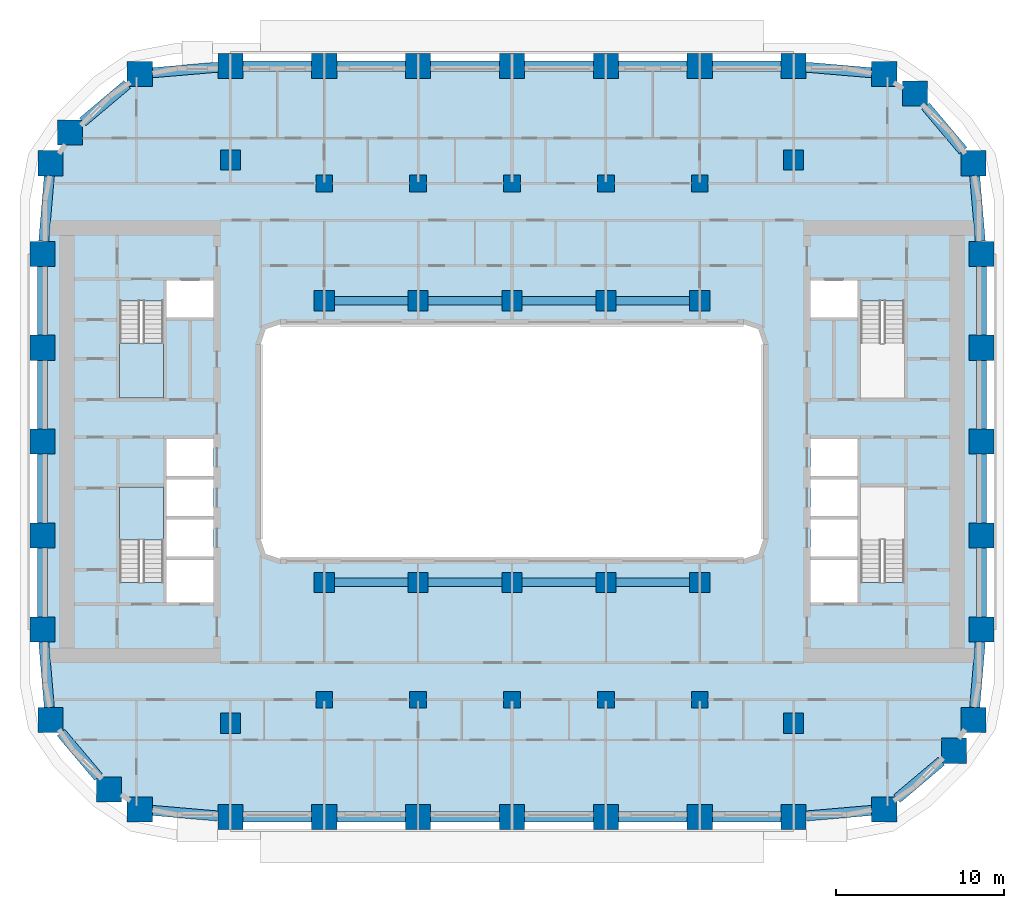
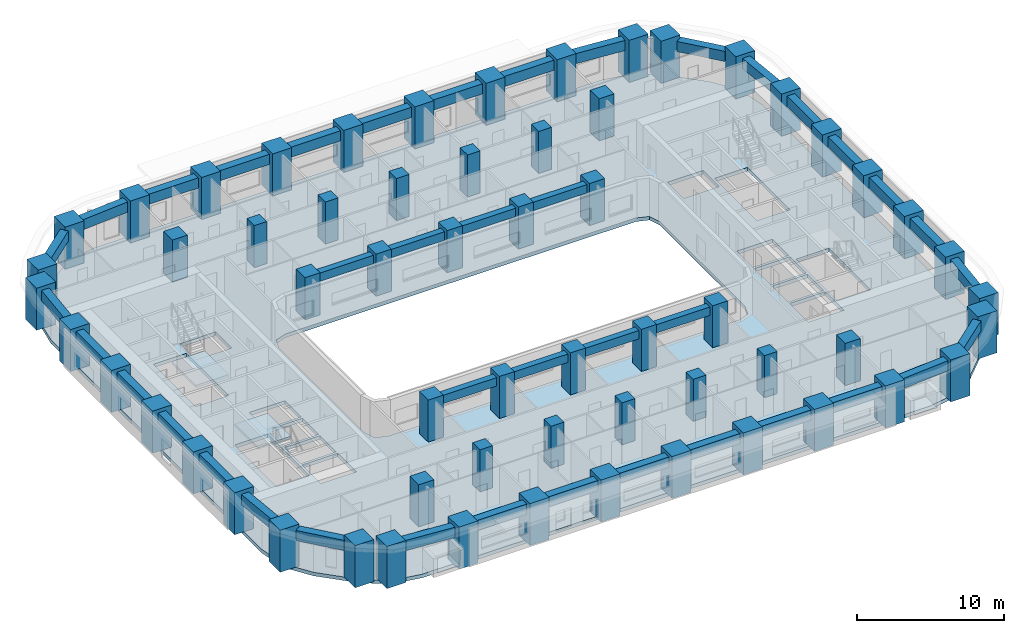
# One storey, part 1 of 22: 60 columns, 40 beams, 3 slabs, 2 elements without a shape of their own.
"""IFC4 building model written with IfcOpenShell, lengths in metres."""

from ifc_helpers import new_model, si_unit, direction, frame, origin, origin_2d, place, context, subcontext, project, spatial, polyline, rectangle, outline, extrude, material, layer, layer_set, material_profile, profile_set, type_object, element, aggregate, save


model = new_model("IFC4")

# Units and contexts
model_context = context("Model", 3, precision=1e-05, world=origin(), true_north=direction((0.0, 1.0)))
body_context = subcontext(model_context, "Body", "Model", "MODEL_VIEW")
ifc_project = project(units=[si_unit("LENGTHUNIT", "METRE"), si_unit("AREAUNIT", "SQUARE_METRE"), si_unit("VOLUMEUNIT", "CUBIC_METRE"), si_unit("PLANEANGLEUNIT", "RADIAN"), si_unit("MASSUNIT", "GRAM", prefix="KILO")], contexts=[model_context])

# Site, building, storey
site_placement = place(None, origin())
site = spatial("IfcSite", under=ifc_project, at=site_placement, CompositionType="ELEMENT")
building_placement = place(site_placement, origin())
building = spatial("IfcBuilding", under=site, at=building_placement, Name="Kiln Ring Residences", CompositionType="ELEMENT")
storey_placement = place(building_placement, frame((0.0, 0.0, 44.5)))
storey = spatial("IfcBuildingStorey", under=building, at=storey_placement, Name="L10", CompositionType="ELEMENT", Elevation=44.5)

# Columns
ifc_material_1 = material(Name="Concrete C80/95", Category="concrete")
ifc_material_profile_1 = material_profile(ifc_material_1, rectangle(XDim=1.0, YDim=1.0, at=origin_2d()), Name="RC1000x1000")
ifc_profile_set_1 = profile_set([ifc_material_profile_1], Name="Concrete C80/95")
column_type_1 = type_object("IfcColumnType", Name="Corridor column RC1000x1000 C80/95", PredefinedType="COLUMN", material=ifc_profile_set_1)
for number, where, z_axis, x_axis, name in (
    (1, (-11.199951171875, 15.39990234375, 0.0), (0.0, 0.0, 1.0), (1.0, 0.0, 0.0), "Corridor column L10 1"),
    (2, (-5.60009765625, 15.39990234375, 0.0), (0.0, 0.0, 1.0), (1.0, 0.0, 0.0), "Corridor column L10 2"),
    (3, (0.0, 15.39990234375, 0.0), (0.0, 0.0, 1.0), (1.0, 0.0, 0.0), "Corridor column L10 3"),
    (4, (5.60009765625, 15.39990234375, 0.0), (0.0, 0.0, 1.0), (1.0, 0.0, 0.0), "Corridor column L10 4"),
    (5, (11.199951171875, 15.39990234375, 0.0), (0.0, 0.0, 1.0), (1.0, 0.0, 0.0), "Corridor column L10 5"),
    (6, (-11.199951171875, -15.39990234375, 0.0), (0.0, 0.0, 1.0), (1.0, 0.0, 0.0), "Corridor column L10 6"),
    (7, (-5.60009765625, -15.39990234375, 0.0), (0.0, 0.0, 1.0), (1.0, 0.0, 0.0), "Corridor column L10 7"),
    (8, (0.0, -15.39990234375, 0.0), (0.0, 0.0, 1.0), (1.0, 0.0, 0.0), "Corridor column L10 8"),
    (9, (5.60009765625, -15.39990234375, 0.0), (0.0, 0.0, 1.0), (1.0, 0.0, 0.0), "Corridor column L10 9"),
    (10, (11.199951171875, -15.39990234375, 0.0), (0.0, 0.0, 1.0), (1.0, 0.0, 0.0), "Corridor column L10 10"),
):
    element("IfcColumn", number, at=place(storey_placement, frame(where, z_axis=z_axis, x_axis=x_axis)), inside=storey, type_object=column_type_1, Name=name, PredefinedType="COLUMN", context=body_context, shape_type="SweptSolid", body=[
        extrude(rectangle(XDim=1.0, YDim=1.0, at=origin_2d()), origin(), (0.0, 0.0, 1.0), 3.5),
    ])
ifc_material_2 = material(Name="Concrete C80/95", Category="concrete")
ifc_material_profile_2 = material_profile(ifc_material_2, rectangle(XDim=1.5, YDim=1.5, at=origin_2d()), Name="RC1500x1500")
ifc_profile_set_2 = profile_set([ifc_material_profile_2], Name="Concrete C80/95")
column_type_2 = type_object("IfcColumnType", Name="Perimeter column RC1500x1500 C80/95", PredefinedType="COLUMN", material=ifc_profile_set_2)
for number, where, z_axis, x_axis, name in (
    (11, (-22.208740234375, -21.93798828125, 0.0), (0.0, 0.0, 1.0), (1.0, 0.0, 0.0), "Perimeter column L10 1"),
    (12, (-16.800048828125, -22.39990234375, 0.0), (0.0, 0.0, 1.0), (1.0, 0.0, 0.0), "Perimeter column L10 2"),
    (13, (-11.199951171875, -22.39990234375, 0.0), (0.0, 0.0, 1.0), (1.0, 0.0, 0.0), "Perimeter column L10 3"),
    (14, (-5.60009765625, -22.39990234375, 0.0), (0.0, 0.0, 1.0), (1.0, 0.0, 0.0), "Perimeter column L10 4"),
    (15, (0.0, -22.39990234375, 0.0), (0.0, 0.0, 1.0), (1.0, 0.0, 0.0), "Perimeter column L10 5"),
    (16, (5.60009765625, -22.39990234375, 0.0), (0.0, 0.0, 1.0), (1.0, 0.0, 0.0), "Perimeter column L10 6"),
    (17, (11.199951171875, -22.39990234375, 0.0), (0.0, 0.0, 1.0), (1.0, 0.0, 0.0), "Perimeter column L10 7"),
    (18, (16.800048828125, -22.39990234375, 0.0), (0.0, 0.0, 1.0), (1.0, 0.0, 0.0), "Perimeter column L10 8"),
    (19, (22.208740234375, -21.93798828125, 0.0), (0.0, 0.0, 1.0), (1.0, 0.0, 0.0), "Perimeter column L10 9"),
    (20, (26.35986328125, -18.440185546875, 0.0), (0.0, 0.0, 1.0), (1.0, 0.0, 0.0), "Perimeter column L10 10"),
    (21, (27.5380859375, -16.608642578125, 0.0), (0.0, 0.0, 1.0), (1.0, 0.0, 0.0), "Perimeter column L10 11"),
    (22, (28.0, -11.199951171875, 0.0), (0.0, 0.0, 1.0), (1.0, 0.0, 0.0), "Perimeter column L10 12"),
    (23, (28.0, -5.60009765625, 0.0), (0.0, 0.0, 1.0), (1.0, 0.0, 0.0), "Perimeter column L10 13"),
    (24, (28.0, 0.0, 0.0), (0.0, 0.0, 1.0), (1.0, 0.0, 0.0), "Perimeter column L10 14"),
    (25, (28.0, 5.60009765625, 0.0), (0.0, 0.0, 1.0), (1.0, 0.0, 0.0), "Perimeter column L10 15"),
    (26, (28.0, 11.199951171875, 0.0), (0.0, 0.0, 1.0), (1.0, 0.0, 0.0), "Perimeter column L10 16"),
    (27, (27.5380859375, 16.608642578125, 0.0), (0.0, 0.0, 1.0), (1.0, 0.0, 0.0), "Perimeter column L10 17"),
    (28, (24.040283203125, 20.759765625, 0.0), (0.0, 0.0, 1.0), (1.0, 0.0, 0.0), "Perimeter column L10 18"),
    (29, (22.208740234375, 21.93798828125, 0.0), (0.0, 0.0, 1.0), (1.0, 0.0, 0.0), "Perimeter column L10 19"),
    (30, (16.800048828125, 22.39990234375, 0.0), (0.0, 0.0, 1.0), (1.0, 0.0, 0.0), "Perimeter column L10 20"),
    (31, (11.199951171875, 22.39990234375, 0.0), (0.0, 0.0, 1.0), (1.0, 0.0, 0.0), "Perimeter column L10 21"),
    (32, (5.60009765625, 22.39990234375, 0.0), (0.0, 0.0, 1.0), (1.0, 0.0, 0.0), "Perimeter column L10 22"),
    (33, (0.0, 22.39990234375, 0.0), (0.0, 0.0, 1.0), (1.0, 0.0, 0.0), "Perimeter column L10 23"),
    (34, (-5.60009765625, 22.39990234375, 0.0), (0.0, 0.0, 1.0), (1.0, 0.0, 0.0), "Perimeter column L10 24"),
    (35, (-11.199951171875, 22.39990234375, 0.0), (0.0, 0.0, 1.0), (1.0, 0.0, 0.0), "Perimeter column L10 25"),
    (36, (-16.800048828125, 22.39990234375, 0.0), (0.0, 0.0, 1.0), (1.0, 0.0, 0.0), "Perimeter column L10 26"),
    (37, (-22.208740234375, 21.93798828125, 0.0), (0.0, 0.0, 1.0), (1.0, 0.0, 0.0), "Perimeter column L10 27"),
    (38, (-26.35986328125, 18.440185546875, 0.0), (0.0, 0.0, 1.0), (1.0, 0.0, 0.0), "Perimeter column L10 28"),
    (39, (-27.5380859375, 16.608642578125, 0.0), (0.0, 0.0, 1.0), (1.0, 0.0, 0.0), "Perimeter column L10 29"),
    (40, (-28.0, 11.199951171875, 0.0), (0.0, 0.0, 1.0), (1.0, 0.0, 0.0), "Perimeter column L10 30"),
    (41, (-28.0, 5.60009765625, 0.0), (0.0, 0.0, 1.0), (1.0, 0.0, 0.0), "Perimeter column L10 31"),
    (42, (-28.0, 0.0, 0.0), (0.0, 0.0, 1.0), (1.0, 0.0, 0.0), "Perimeter column L10 32"),
    (43, (-28.0, -5.60009765625, 0.0), (0.0, 0.0, 1.0), (1.0, 0.0, 0.0), "Perimeter column L10 33"),
    (44, (-28.0, -11.199951171875, 0.0), (0.0, 0.0, 1.0), (1.0, 0.0, 0.0), "Perimeter column L10 34"),
    (45, (-27.5380859375, -16.608642578125, 0.0), (0.0, 0.0, 1.0), (1.0, 0.0, 0.0), "Perimeter column L10 35"),
    (46, (-24.040283203125, -20.759765625, 0.0), (0.0, 0.0, 1.0), (1.0, 0.0, 0.0), "Perimeter column L10 36"),
):
    element("IfcColumn", number, at=place(storey_placement, frame(where, z_axis=z_axis, x_axis=x_axis)), inside=storey, type_object=column_type_2, Name=name, PredefinedType="COLUMN", context=body_context, shape_type="SweptSolid", body=[
        extrude(rectangle(XDim=1.5, YDim=1.5, at=origin_2d()), origin(), (0.0, 0.0, 1.0), 3.5),
    ])
ifc_material_3 = material(Name="Concrete C80/95", Category="concrete")
ifc_material_profile_3 = material_profile(ifc_material_3, rectangle(XDim=1.199951171875, YDim=1.199951171875, at=origin_2d()), Name="RC1200x1200")
ifc_profile_set_3 = profile_set([ifc_material_profile_3], Name="Concrete C80/95")
column_type_3 = type_object("IfcColumnType", Name="Ring column RC1200x1200 C80/95", PredefinedType="COLUMN", material=ifc_profile_set_3)
for number, where, z_axis, x_axis, name in (
    (47, (-16.800048828125, -16.800048828125, 0.0), (0.0, 0.0, 1.0), (1.0, 0.0, 0.0), "Ring column L10 1"),
    (48, (-16.800048828125, 16.800048828125, 0.0), (0.0, 0.0, 1.0), (1.0, 0.0, 0.0), "Ring column L10 2"),
    (49, (-11.199951171875, -8.39990234375, 0.0), (0.0, 0.0, 1.0), (1.0, 0.0, 0.0), "Ring column L10 3"),
    (50, (-11.199951171875, 8.39990234375, 0.0), (0.0, 0.0, 1.0), (1.0, 0.0, 0.0), "Ring column L10 4"),
    (51, (-5.60009765625, -8.39990234375, 0.0), (0.0, 0.0, 1.0), (1.0, 0.0, 0.0), "Ring column L10 5"),
    (52, (-5.60009765625, 8.39990234375, 0.0), (0.0, 0.0, 1.0), (1.0, 0.0, 0.0), "Ring column L10 6"),
    (53, (0.0, -8.39990234375, 0.0), (0.0, 0.0, 1.0), (1.0, 0.0, 0.0), "Ring column L10 7"),
    (54, (0.0, 8.39990234375, 0.0), (0.0, 0.0, 1.0), (1.0, 0.0, 0.0), "Ring column L10 8"),
    (55, (5.60009765625, -8.39990234375, 0.0), (0.0, 0.0, 1.0), (1.0, 0.0, 0.0), "Ring column L10 9"),
    (56, (5.60009765625, 8.39990234375, 0.0), (0.0, 0.0, 1.0), (1.0, 0.0, 0.0), "Ring column L10 10"),
    (57, (11.199951171875, -8.39990234375, 0.0), (0.0, 0.0, 1.0), (1.0, 0.0, 0.0), "Ring column L10 11"),
    (58, (11.199951171875, 8.39990234375, 0.0), (0.0, 0.0, 1.0), (1.0, 0.0, 0.0), "Ring column L10 12"),
    (59, (16.800048828125, -16.800048828125, 0.0), (0.0, 0.0, 1.0), (1.0, 0.0, 0.0), "Ring column L10 13"),
    (60, (16.800048828125, 16.800048828125, 0.0), (0.0, 0.0, 1.0), (1.0, 0.0, 0.0), "Ring column L10 14"),
):
    element("IfcColumn", number, at=place(storey_placement, frame(where, z_axis=z_axis, x_axis=x_axis)), inside=storey, type_object=column_type_3, Name=name, PredefinedType="COLUMN", context=body_context, shape_type="SweptSolid", body=[
        extrude(rectangle(XDim=1.199951171875, YDim=1.199951171875, at=origin_2d()), origin(), (0.0, 0.0, 1.0), 3.5),
    ])

# Beams
ifc_material_4 = material(Name="Concrete C50/60", Category="concrete")
ifc_material_profile_4 = material_profile(ifc_material_4, rectangle(XDim=0.5, YDim=0.699951171875, at=origin_2d()), Name="RC500x700")
ifc_profile_set_4 = profile_set([ifc_material_profile_4], Name="Concrete C50/60")
beam_type_1 = type_object("IfcBeamType", Name="Ring beam RC500x700 C50/60", PredefinedType="BEAM", material=ifc_profile_set_4)
beam_1_placement = place(storey_placement, frame((-10.60009765625, -8.39990234375, 2.85009765625), z_axis=(1.0, 0.0, 0.0), x_axis=(0.0, 1.0, 0.0)))
element("IfcBeam", 61, at=beam_1_placement, inside=storey, type_object=beam_type_1, Name="Ring beam L10 1", PredefinedType="BEAM", context=body_context, shape_type="SweptSolid", body=[
    extrude(rectangle(XDim=0.5, YDim=0.699951171875, at=origin_2d()), origin(), (0.0, 0.0, 1.0), 4.400146484375),
])
for number, where, z_axis, x_axis, name in (
    (62, (-5.0, -8.39990234375, 2.85009765625), (1.0, 0.0, 0.0), (0.0, 1.0, 0.0), "Ring beam L10 2"),
    (63, (0.60009765625, -8.39990234375, 2.85009765625), (1.0, 0.0, 0.0), (0.0, 1.0, 0.0), "Ring beam L10 3"),
):
    element("IfcBeam", number, at=place(storey_placement, frame(where, z_axis=z_axis, x_axis=x_axis)), inside=storey, type_object=beam_type_1, Name=name, PredefinedType="BEAM", context=body_context, shape_type="SweptSolid", body=[
        extrude(rectangle(XDim=0.5, YDim=0.699951171875, at=origin_2d()), origin(), (0.0, 0.0, 1.0), 4.39990234375),
    ])
for number, where, z_axis, x_axis, name in (
    (64, (6.199951171875, -8.39990234375, 2.85009765625), (1.0, 0.0, 0.0), (0.0, 1.0, 0.0), "Ring beam L10 4"),
    (65, (-10.60009765625, 8.39990234375, 2.85009765625), (1.0, 0.0, 0.0), (0.0, 1.0, 0.0), "Ring beam L10 5"),
):
    element("IfcBeam", number, at=place(storey_placement, frame(where, z_axis=z_axis, x_axis=x_axis)), inside=storey, type_object=beam_type_1, Name=name, PredefinedType="BEAM", context=body_context, shape_type="SweptSolid", body=[
        extrude(rectangle(XDim=0.5, YDim=0.699951171875, at=origin_2d()), origin(), (0.0, 0.0, 1.0), 4.400146484375),
    ])
for number, where, z_axis, x_axis, name in (
    (66, (-5.0, 8.39990234375, 2.85009765625), (1.0, 0.0, 0.0), (0.0, 1.0, 0.0), "Ring beam L10 6"),
    (67, (0.60009765625, 8.39990234375, 2.85009765625), (1.0, 0.0, 0.0), (0.0, 1.0, 0.0), "Ring beam L10 7"),
):
    element("IfcBeam", number, at=place(storey_placement, frame(where, z_axis=z_axis, x_axis=x_axis)), inside=storey, type_object=beam_type_1, Name=name, PredefinedType="BEAM", context=body_context, shape_type="SweptSolid", body=[
        extrude(rectangle(XDim=0.5, YDim=0.699951171875, at=origin_2d()), origin(), (0.0, 0.0, 1.0), 4.39990234375),
    ])
beam_2_placement = place(storey_placement, frame((6.199951171875, 8.39990234375, 2.85009765625), z_axis=(1.0, 0.0, 0.0), x_axis=(0.0, 1.0, 0.0)))
element("IfcBeam", 68, at=beam_2_placement, inside=storey, type_object=beam_type_1, Name="Ring beam L10 8", PredefinedType="BEAM", context=body_context, shape_type="SweptSolid", body=[
    extrude(rectangle(XDim=0.5, YDim=0.699951171875, at=origin_2d()), origin(), (0.0, 0.0, 1.0), 4.400146484375),
])
ifc_material_5 = material(Name="Concrete C50/60", Category="concrete")
ifc_material_profile_5 = material_profile(ifc_material_5, rectangle(XDim=0.60009765625, YDim=0.85009765625, at=origin_2d()), Name="RC600x850")
ifc_profile_set_5 = profile_set([ifc_material_profile_5], Name="Concrete C50/60")
beam_type_2 = type_object("IfcBeamType", Name="Spandrel beam RC600x850 C50/60", PredefinedType="SPANDREL", material=ifc_profile_set_5)
beam_3_placement = place(storey_placement, frame((-21.458740234375, -22.002197265625, 2.77490234375), z_axis=(0.996374585929, -0.085074582072, 0.0), x_axis=(0.085074582072, 0.996374585929, 0.0)))
element("IfcBeam", 69, at=beam_3_placement, inside=storey, type_object=beam_type_2, Name="Spandrel beam L10 1", PredefinedType="SPANDREL", context=body_context, shape_type="SweptSolid", body=[
    extrude(rectangle(XDim=0.60009765625, YDim=0.85009765625, at=origin_2d()), origin(), (0.0, 0.0, 1.0), 3.9228515625),
])
beam_4_placement = place(storey_placement, frame((-16.050048828125, -22.39990234375, 2.77490234375), z_axis=(1.0, 0.0, 0.0), x_axis=(0.0, 1.0, 0.0)))
element("IfcBeam", 70, at=beam_4_placement, inside=storey, type_object=beam_type_2, Name="Spandrel beam L10 2", PredefinedType="SPANDREL", context=body_context, shape_type="SweptSolid", body=[
    extrude(rectangle(XDim=0.60009765625, YDim=0.85009765625, at=origin_2d()), origin(), (0.0, 0.0, 1.0), 4.10009765625),
])
beam_5_placement = place(storey_placement, frame((-10.449951171875, -22.39990234375, 2.77490234375), z_axis=(1.0, 0.0, 0.0), x_axis=(0.0, 1.0, 0.0)))
element("IfcBeam", 71, at=beam_5_placement, inside=storey, type_object=beam_type_2, Name="Spandrel beam L10 3", PredefinedType="SPANDREL", context=body_context, shape_type="SweptSolid", body=[
    extrude(rectangle(XDim=0.60009765625, YDim=0.85009765625, at=origin_2d()), origin(), (0.0, 0.0, 1.0), 4.099853515625),
])
for number, where, z_axis, x_axis, name in (
    (72, (-4.85009765625, -22.39990234375, 2.77490234375), (1.0, 0.0, 0.0), (0.0, 1.0, 0.0), "Spandrel beam L10 4"),
    (73, (0.75, -22.39990234375, 2.77490234375), (1.0, 0.0, 0.0), (0.0, 1.0, 0.0), "Spandrel beam L10 5"),
):
    element("IfcBeam", number, at=place(storey_placement, frame(where, z_axis=z_axis, x_axis=x_axis)), inside=storey, type_object=beam_type_2, Name=name, PredefinedType="SPANDREL", context=body_context, shape_type="SweptSolid", body=[
        extrude(rectangle(XDim=0.60009765625, YDim=0.85009765625, at=origin_2d()), origin(), (0.0, 0.0, 1.0), 4.10009765625),
    ])
beam_6_placement = place(storey_placement, frame((6.35009765625, -22.39990234375, 2.77490234375), z_axis=(1.0, 0.0, 0.0), x_axis=(0.0, 1.0, 0.0)))
element("IfcBeam", 74, at=beam_6_placement, inside=storey, type_object=beam_type_2, Name="Spandrel beam L10 6", PredefinedType="SPANDREL", context=body_context, shape_type="SweptSolid", body=[
    extrude(rectangle(XDim=0.60009765625, YDim=0.85009765625, at=origin_2d()), origin(), (0.0, 0.0, 1.0), 4.099853515625),
])
beam_7_placement = place(storey_placement, frame((11.949951171875, -22.39990234375, 2.77490234375), z_axis=(1.0, 0.0, 0.0), x_axis=(0.0, 1.0, 0.0)))
element("IfcBeam", 75, at=beam_7_placement, inside=storey, type_object=beam_type_2, Name="Spandrel beam L10 7", PredefinedType="SPANDREL", context=body_context, shape_type="SweptSolid", body=[
    extrude(rectangle(XDim=0.60009765625, YDim=0.85009765625, at=origin_2d()), origin(), (0.0, 0.0, 1.0), 4.10009765625),
])
beam_8_placement = place(storey_placement, frame((17.550048828125, -22.3359375, 2.77490234375), z_axis=(0.996374585929, 0.085074582072, 0.0), x_axis=(-0.085074582072, 0.996374585929, 0.0)))
element("IfcBeam", 76, at=beam_8_placement, inside=storey, type_object=beam_type_2, Name="Spandrel beam L10 8", PredefinedType="SPANDREL", context=body_context, shape_type="SweptSolid", body=[
    extrude(rectangle(XDim=0.60009765625, YDim=0.85009765625, at=origin_2d()), origin(), (0.0, 0.0, 1.0), 3.9228515625),
])
beam_9_placement = place(storey_placement, frame((22.958740234375, -21.30615234375, 2.77490234375), z_axis=(0.76471758739, 0.644365588417, 0.0), x_axis=(-0.644365588417, 0.76471758739, 0.0)))
element("IfcBeam", 77, at=beam_9_placement, inside=storey, type_object=beam_type_2, Name="Spandrel beam L10 9", PredefinedType="SPANDREL", context=body_context, shape_type="SweptSolid", body=[
    extrude(rectangle(XDim=0.60009765625, YDim=0.85009765625, at=origin_2d()), origin(), (0.0, 0.0, 1.0), 3.466796875),
])
beam_10_placement = place(storey_placement, frame((27.60205078125, -15.858642578125, 2.77490234375), z_axis=(0.085136365662, 0.996369308661, 0.0), x_axis=(-0.996369308661, 0.085136365662, 0.0)))
element("IfcBeam", 78, at=beam_10_placement, inside=storey, type_object=beam_type_2, Name="Spandrel beam L10 10", PredefinedType="SPANDREL", context=body_context, shape_type="SweptSolid", body=[
    extrude(rectangle(XDim=0.60009765625, YDim=0.85009765625, at=origin_2d()), origin(), (0.0, 0.0, 1.0), 3.9228515625),
])
beam_11_placement = place(storey_placement, frame((28.0, -10.449951171875, 2.77490234375), z_axis=(0.0, 1.0, 0.0), x_axis=(-1.0, 0.0, 0.0)))
element("IfcBeam", 79, at=beam_11_placement, inside=storey, type_object=beam_type_2, Name="Spandrel beam L10 11", PredefinedType="SPANDREL", context=body_context, shape_type="SweptSolid", body=[
    extrude(rectangle(XDim=0.60009765625, YDim=0.85009765625, at=origin_2d()), origin(), (0.0, 0.0, 1.0), 4.099853515625),
])
for number, where, z_axis, x_axis, name in (
    (80, (28.0, -4.85009765625, 2.77490234375), (0.0, 1.0, 0.0), (-1.0, 0.0, 0.0), "Spandrel beam L10 12"),
    (81, (28.0, 0.75, 2.77490234375), (0.0, 1.0, 0.0), (-1.0, 0.0, 0.0), "Spandrel beam L10 13"),
):
    element("IfcBeam", number, at=place(storey_placement, frame(where, z_axis=z_axis, x_axis=x_axis)), inside=storey, type_object=beam_type_2, Name=name, PredefinedType="SPANDREL", context=body_context, shape_type="SweptSolid", body=[
        extrude(rectangle(XDim=0.60009765625, YDim=0.85009765625, at=origin_2d()), origin(), (0.0, 0.0, 1.0), 4.10009765625),
    ])
beam_12_placement = place(storey_placement, frame((28.0, 6.35009765625, 2.77490234375), z_axis=(0.0, 1.0, 0.0), x_axis=(-1.0, 0.0, 0.0)))
element("IfcBeam", 82, at=beam_12_placement, inside=storey, type_object=beam_type_2, Name="Spandrel beam L10 14", PredefinedType="SPANDREL", context=body_context, shape_type="SweptSolid", body=[
    extrude(rectangle(XDim=0.60009765625, YDim=0.85009765625, at=origin_2d()), origin(), (0.0, 0.0, 1.0), 4.099853515625),
])
beam_13_placement = place(storey_placement, frame((27.93603515625, 11.949951171875, 2.77490234375), z_axis=(-0.085136365662, 0.996369308661, 0.0), x_axis=(-0.996369308661, -0.085136365662, 0.0)))
element("IfcBeam", 83, at=beam_13_placement, inside=storey, type_object=beam_type_2, Name="Spandrel beam L10 15", PredefinedType="SPANDREL", context=body_context, shape_type="SweptSolid", body=[
    extrude(rectangle(XDim=0.60009765625, YDim=0.85009765625, at=origin_2d()), origin(), (0.0, 0.0, 1.0), 3.9228515625),
])
beam_14_placement = place(storey_placement, frame((26.906005859375, 17.358642578125, 2.77490234375), z_axis=(-0.644365588417, 0.76471758739, 0.0), x_axis=(-0.76471758739, -0.644365588417, 0.0)))
element("IfcBeam", 84, at=beam_14_placement, inside=storey, type_object=beam_type_2, Name="Spandrel beam L10 16", PredefinedType="SPANDREL", context=body_context, shape_type="SweptSolid", body=[
    extrude(rectangle(XDim=0.60009765625, YDim=0.85009765625, at=origin_2d()), origin(), (0.0, 0.0, 1.0), 3.466796875),
])
beam_15_placement = place(storey_placement, frame((21.458740234375, 22.002197265625, 2.77490234375), z_axis=(-0.996374585929, 0.085074582072, 0.0), x_axis=(-0.085074582072, -0.996374585929, 0.0)))
element("IfcBeam", 85, at=beam_15_placement, inside=storey, type_object=beam_type_2, Name="Spandrel beam L10 17", PredefinedType="SPANDREL", context=body_context, shape_type="SweptSolid", body=[
    extrude(rectangle(XDim=0.60009765625, YDim=0.85009765625, at=origin_2d()), origin(), (0.0, 0.0, 1.0), 3.9228515625),
])
beam_16_placement = place(storey_placement, frame((16.050048828125, 22.39990234375, 2.77490234375), z_axis=(-1.0, 0.0, 0.0), x_axis=(0.0, -1.0, 0.0)))
element("IfcBeam", 86, at=beam_16_placement, inside=storey, type_object=beam_type_2, Name="Spandrel beam L10 18", PredefinedType="SPANDREL", context=body_context, shape_type="SweptSolid", body=[
    extrude(rectangle(XDim=0.60009765625, YDim=0.85009765625, at=origin_2d()), origin(), (0.0, 0.0, 1.0), 4.10009765625),
])
beam_17_placement = place(storey_placement, frame((10.449951171875, 22.39990234375, 2.77490234375), z_axis=(-1.0, 0.0, 0.0), x_axis=(0.0, -1.0, 0.0)))
element("IfcBeam", 87, at=beam_17_placement, inside=storey, type_object=beam_type_2, Name="Spandrel beam L10 19", PredefinedType="SPANDREL", context=body_context, shape_type="SweptSolid", body=[
    extrude(rectangle(XDim=0.60009765625, YDim=0.85009765625, at=origin_2d()), origin(), (0.0, 0.0, 1.0), 4.099853515625),
])
for number, where, z_axis, x_axis, name in (
    (88, (4.85009765625, 22.39990234375, 2.77490234375), (-1.0, 0.0, 0.0), (0.0, -1.0, 0.0), "Spandrel beam L10 20"),
    (89, (-0.75, 22.39990234375, 2.77490234375), (-1.0, 0.0, 0.0), (0.0, -1.0, 0.0), "Spandrel beam L10 21"),
):
    element("IfcBeam", number, at=place(storey_placement, frame(where, z_axis=z_axis, x_axis=x_axis)), inside=storey, type_object=beam_type_2, Name=name, PredefinedType="SPANDREL", context=body_context, shape_type="SweptSolid", body=[
        extrude(rectangle(XDim=0.60009765625, YDim=0.85009765625, at=origin_2d()), origin(), (0.0, 0.0, 1.0), 4.10009765625),
    ])
beam_18_placement = place(storey_placement, frame((-6.35009765625, 22.39990234375, 2.77490234375), z_axis=(-1.0, 0.0, 0.0), x_axis=(0.0, -1.0, 0.0)))
element("IfcBeam", 90, at=beam_18_placement, inside=storey, type_object=beam_type_2, Name="Spandrel beam L10 22", PredefinedType="SPANDREL", context=body_context, shape_type="SweptSolid", body=[
    extrude(rectangle(XDim=0.60009765625, YDim=0.85009765625, at=origin_2d()), origin(), (0.0, 0.0, 1.0), 4.099853515625),
])
beam_19_placement = place(storey_placement, frame((-11.949951171875, 22.39990234375, 2.77490234375), z_axis=(-1.0, 0.0, 0.0), x_axis=(0.0, -1.0, 0.0)))
element("IfcBeam", 91, at=beam_19_placement, inside=storey, type_object=beam_type_2, Name="Spandrel beam L10 23", PredefinedType="SPANDREL", context=body_context, shape_type="SweptSolid", body=[
    extrude(rectangle(XDim=0.60009765625, YDim=0.85009765625, at=origin_2d()), origin(), (0.0, 0.0, 1.0), 4.10009765625),
])
beam_20_placement = place(storey_placement, frame((-17.550048828125, 22.3359375, 2.77490234375), z_axis=(-0.996374585929, -0.085074582072, 0.0), x_axis=(0.085074582072, -0.996374585929, 0.0)))
element("IfcBeam", 92, at=beam_20_placement, inside=storey, type_object=beam_type_2, Name="Spandrel beam L10 24", PredefinedType="SPANDREL", context=body_context, shape_type="SweptSolid", body=[
    extrude(rectangle(XDim=0.60009765625, YDim=0.85009765625, at=origin_2d()), origin(), (0.0, 0.0, 1.0), 3.9228515625),
])
beam_21_placement = place(storey_placement, frame((-22.958740234375, 21.30615234375, 2.77490234375), z_axis=(-0.76471758739, -0.644365588417, 0.0), x_axis=(0.644365588417, -0.76471758739, 0.0)))
element("IfcBeam", 93, at=beam_21_placement, inside=storey, type_object=beam_type_2, Name="Spandrel beam L10 25", PredefinedType="SPANDREL", context=body_context, shape_type="SweptSolid", body=[
    extrude(rectangle(XDim=0.60009765625, YDim=0.85009765625, at=origin_2d()), origin(), (0.0, 0.0, 1.0), 3.466796875),
])
beam_22_placement = place(storey_placement, frame((-27.60205078125, 15.858642578125, 2.77490234375), z_axis=(-0.085136365662, -0.996369308661, 0.0), x_axis=(0.996369308661, -0.085136365662, 0.0)))
element("IfcBeam", 94, at=beam_22_placement, inside=storey, type_object=beam_type_2, Name="Spandrel beam L10 26", PredefinedType="SPANDREL", context=body_context, shape_type="SweptSolid", body=[
    extrude(rectangle(XDim=0.60009765625, YDim=0.85009765625, at=origin_2d()), origin(), (0.0, 0.0, 1.0), 3.9228515625),
])
beam_23_placement = place(storey_placement, frame((-28.0, 10.449951171875, 2.77490234375), z_axis=(0.0, -1.0, 0.0), x_axis=(1.0, 0.0, 0.0)))
element("IfcBeam", 95, at=beam_23_placement, inside=storey, type_object=beam_type_2, Name="Spandrel beam L10 27", PredefinedType="SPANDREL", context=body_context, shape_type="SweptSolid", body=[
    extrude(rectangle(XDim=0.60009765625, YDim=0.85009765625, at=origin_2d()), origin(), (0.0, 0.0, 1.0), 4.099853515625),
])
for number, where, z_axis, x_axis, name in (
    (96, (-28.0, 4.85009765625, 2.77490234375), (0.0, -1.0, 0.0), (1.0, 0.0, 0.0), "Spandrel beam L10 28"),
    (97, (-28.0, -0.75, 2.77490234375), (0.0, -1.0, 0.0), (1.0, 0.0, 0.0), "Spandrel beam L10 29"),
):
    element("IfcBeam", number, at=place(storey_placement, frame(where, z_axis=z_axis, x_axis=x_axis)), inside=storey, type_object=beam_type_2, Name=name, PredefinedType="SPANDREL", context=body_context, shape_type="SweptSolid", body=[
        extrude(rectangle(XDim=0.60009765625, YDim=0.85009765625, at=origin_2d()), origin(), (0.0, 0.0, 1.0), 4.10009765625),
    ])
beam_24_placement = place(storey_placement, frame((-28.0, -6.35009765625, 2.77490234375), z_axis=(0.0, -1.0, 0.0), x_axis=(1.0, 0.0, 0.0)))
element("IfcBeam", 98, at=beam_24_placement, inside=storey, type_object=beam_type_2, Name="Spandrel beam L10 30", PredefinedType="SPANDREL", context=body_context, shape_type="SweptSolid", body=[
    extrude(rectangle(XDim=0.60009765625, YDim=0.85009765625, at=origin_2d()), origin(), (0.0, 0.0, 1.0), 4.099853515625),
])
beam_25_placement = place(storey_placement, frame((-27.93603515625, -11.949951171875, 2.77490234375), z_axis=(0.085136365662, -0.996369308661, 0.0), x_axis=(0.996369308661, 0.085136365662, 0.0)))
element("IfcBeam", 99, at=beam_25_placement, inside=storey, type_object=beam_type_2, Name="Spandrel beam L10 31", PredefinedType="SPANDREL", context=body_context, shape_type="SweptSolid", body=[
    extrude(rectangle(XDim=0.60009765625, YDim=0.85009765625, at=origin_2d()), origin(), (0.0, 0.0, 1.0), 3.9228515625),
])
beam_26_placement = place(storey_placement, frame((-26.906005859375, -17.358642578125, 2.77490234375), z_axis=(0.644365588417, -0.76471758739, 0.0), x_axis=(0.76471758739, 0.644365588417, 0.0)))
element("IfcBeam", 100, at=beam_26_placement, inside=storey, type_object=beam_type_2, Name="Spandrel beam L10 32", PredefinedType="SPANDREL", context=body_context, shape_type="SweptSolid", body=[
    extrude(rectangle(XDim=0.60009765625, YDim=0.85009765625, at=origin_2d()), origin(), (0.0, 0.0, 1.0), 3.466796875),
])

# Stair, slab
ifc_material_6 = material(Name="Concrete C40/50", Category="concrete")
stair_type = type_object("IfcStairType", Name="CORE-STAIR", PredefinedType="HALF_TURN_STAIR", material=ifc_material_6)
placement_1 = place(storey_placement, origin())
stair_1 = element("IfcStair", 101, at=placement_1, inside=storey, type_object=stair_type, Name="L10 stair W-STN", PredefinedType="HALF_TURN_STAIR")
ifc_material_7 = material(Name="Concrete C40/50", Category="concrete")
ifc_layer_1 = layer(ifc_material_7, 0.199951171875)
ifc_layer_set_1 = layer_set([ifc_layer_1], Name="CORE-STAIR-LANDING")
slab_type_1 = type_object("IfcSlabType", Name="CORE-STAIR-LANDING", PredefinedType="LANDING", material=ifc_layer_set_1)
placement_2 = place(storey_placement, frame((0.0, 0.0, 1.550048828125)))
slab_1 = element("IfcSlab", 102, at=placement_2, type_object=slab_type_1, Name="W-STN landing 1", PredefinedType="LANDING", context=body_context, shape_type="SweptSolid", body=[
    extrude(outline(polyline([(-23.39990234375, 5.8798828125), (-23.39990234375, 2.60009765625), (-20.800048828125, 2.60009765625), (-20.800048828125, 5.8798828125), (-23.39990234375, 5.8798828125)])), origin(), (0.0, 0.0, 1.0), 0.199951171875),
])
aggregate(stair_1, [slab_1])

stair_2 = element("IfcStair", 103, at=placement_1, inside=storey, type_object=stair_type, Name="L10 stair W-STS", PredefinedType="HALF_TURN_STAIR")
slab_2 = element("IfcSlab", 104, at=placement_2, type_object=slab_type_1, Name="W-STS landing 1", PredefinedType="LANDING", context=body_context, shape_type="SweptSolid", body=[
    extrude(outline(polyline([(-20.800048828125, -5.8798828125), (-20.800048828125, -2.699951171875), (-23.39990234375, -2.699951171875), (-23.39990234375, -5.8798828125), (-20.800048828125, -5.8798828125)])), origin(), (0.0, 0.0, 1.0), 0.199951171875),
])
aggregate(stair_2, [slab_2])

# Slab
ifc_material_8 = material(Name="Concrete C40/50", Category="concrete")
ifc_layer_2 = layer(ifc_material_8, 0.300048828125)
ifc_layer_set_2 = layer_set([ifc_layer_2], Name="Floor slab 300")
slab_type_2 = type_object("IfcSlabType", Name="Floor slab 300", PredefinedType="FLOOR", material=ifc_layer_set_2)
slab_3_placement = place(storey_placement, frame((0.0, 0.0, -0.300048828125)))
element("IfcSlab", 105, at=slab_3_placement, inside=storey, type_object=slab_type_2, Name="Floor slab L10 1", PredefinedType="FLOOR", context=body_context, shape_type="SweptSolid", body=[
    extrude(outline(polyline([(-26.302978515625, -18.4970703125), (-24.09716796875, -20.702880859375), (-22.224365234375, -21.975830078125), (-20.0, -22.39990234375), (20.0, -22.39990234375), (22.224365234375, -21.975830078125), (24.09716796875, -20.702880859375), (26.302978515625, -18.4970703125), (27.57568359375, -16.624267578125), (28.0, -14.39990234375), (28.0, 14.39990234375), (27.57568359375, 16.624267578125), (26.302978515625, 18.4970703125), (24.09716796875, 20.702880859375), (22.224365234375, 21.975830078125), (20.0, 22.39990234375), (-20.0, 22.39990234375), (-22.224365234375, 21.975830078125), (-24.09716796875, 20.702880859375), (-26.302978515625, 18.4970703125), (-27.57568359375, 16.624267578125), (-28.0, 14.39990234375), (-28.0, -14.39990234375), (-27.57568359375, -16.624267578125), (-26.302978515625, -18.4970703125)]), holes=[polyline([(-14.699951171875, -6.699951171875), (-15.0, -5.800048828125), (-15.0, 5.800048828125), (-14.699951171875, 6.699951171875), (-13.800048828125, 7.0), (13.800048828125, 7.0), (14.699951171875, 6.699951171875), (15.0, 5.800048828125), (15.0, -5.800048828125), (14.699951171875, -6.699951171875), (13.800048828125, -7.0), (-13.800048828125, -7.0), (-14.699951171875, -6.699951171875)]), polyline([(20.800048828125, -8.39794921875), (20.800048828125, -2.699951171875), (23.39990234375, -2.699951171875), (23.39990234375, -8.39794921875), (20.800048828125, -8.39794921875)]), polyline([(20.800048828125, 2.60009765625), (20.800048828125, 8.39794921875), (23.39990234375, 8.39794921875), (23.39990234375, 2.60009765625), (20.800048828125, 2.60009765625)]), polyline([(17.800048828125, -6.85009765625), (17.800048828125, -4.64990234375), (20.60009765625, -4.64990234375), (20.60009765625, -6.85009765625), (17.800048828125, -6.85009765625)]), polyline([(17.800048828125, -4.449951171875), (17.800048828125, -2.25), (20.60009765625, -2.25), (20.60009765625, -4.449951171875), (17.800048828125, -4.449951171875)]), polyline([(17.800048828125, -2.050048828125), (17.800048828125, 0.14990234375), (20.60009765625, 0.14990234375), (20.60009765625, -2.050048828125), (17.800048828125, -2.050048828125)]), polyline([(17.800048828125, 7.39990234375), (17.800048828125, 9.60009765625), (20.60009765625, 9.60009765625), (20.60009765625, 7.39990234375), (17.800048828125, 7.39990234375)]), polyline([(20.60009765625, -9.60009765625), (17.800048828125, -9.60009765625), (17.800048828125, -7.050048828125), (20.60009765625, -7.050048828125), (20.60009765625, -9.60009765625)]), polyline([(-17.800048828125, -7.050048828125), (-17.800048828125, -9.60009765625), (-20.60009765625, -9.60009765625), (-20.60009765625, -7.050048828125), (-17.800048828125, -7.050048828125)]), polyline([(-17.800048828125, -6.85009765625), (-20.60009765625, -6.85009765625), (-20.60009765625, -4.64990234375), (-17.800048828125, -4.64990234375), (-17.800048828125, -6.85009765625)]), polyline([(-17.800048828125, -4.449951171875), (-20.60009765625, -4.449951171875), (-20.60009765625, -2.25), (-17.800048828125, -2.25), (-17.800048828125, -4.449951171875)]), polyline([(-17.800048828125, -2.050048828125), (-20.60009765625, -2.050048828125), (-20.60009765625, 0.14990234375), (-17.800048828125, 0.14990234375), (-17.800048828125, -2.050048828125)]), polyline([(-17.800048828125, 7.39990234375), (-20.60009765625, 7.39990234375), (-20.60009765625, 9.60009765625), (-17.800048828125, 9.60009765625), (-17.800048828125, 7.39990234375)]), polyline([(-20.800048828125, -8.39794921875), (-23.39990234375, -8.39794921875), (-23.39990234375, -2.699951171875), (-20.800048828125, -2.699951171875), (-20.800048828125, -8.39794921875)]), polyline([(-20.800048828125, 2.60009765625), (-23.39990234375, 2.60009765625), (-23.39990234375, 8.39794921875), (-20.800048828125, 8.39794921875), (-20.800048828125, 2.60009765625)])]), origin(), (0.0, 0.0, 1.0), 0.300048828125),
])

save(model, "model.ifc")
